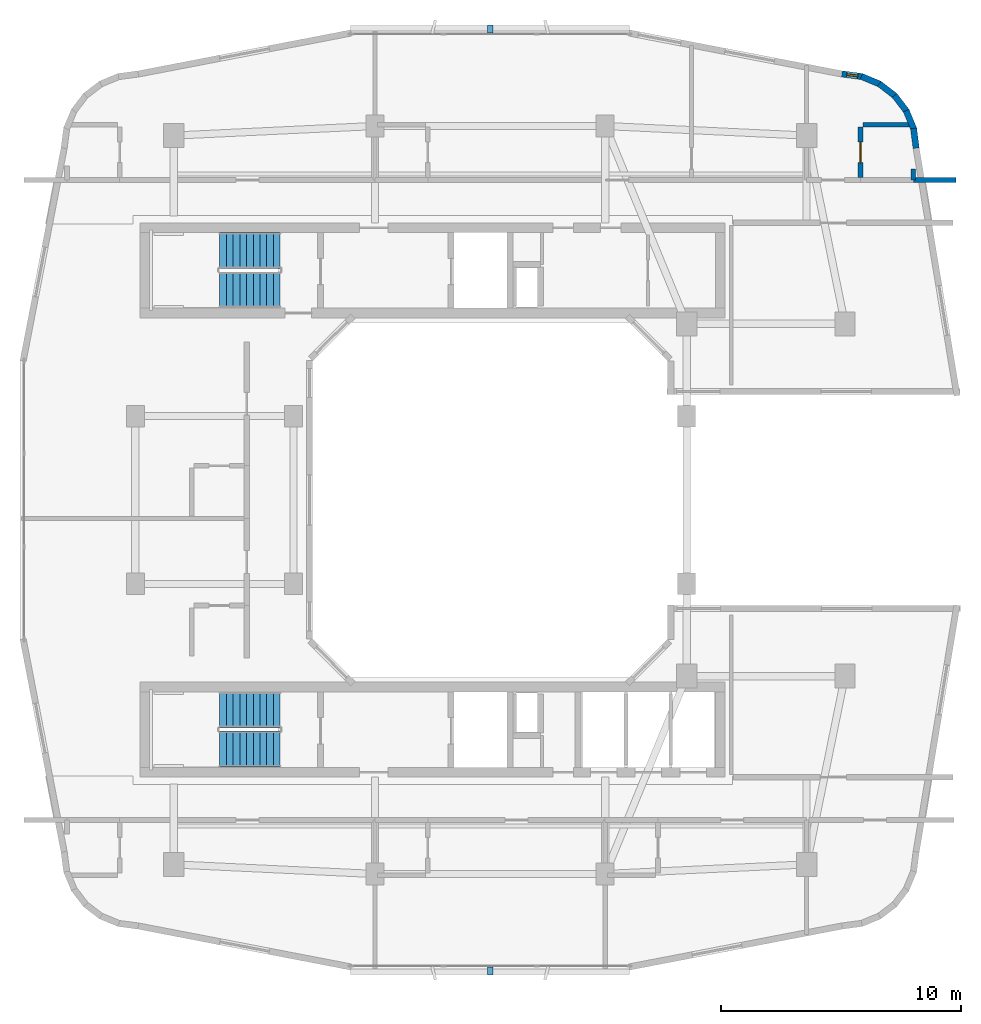
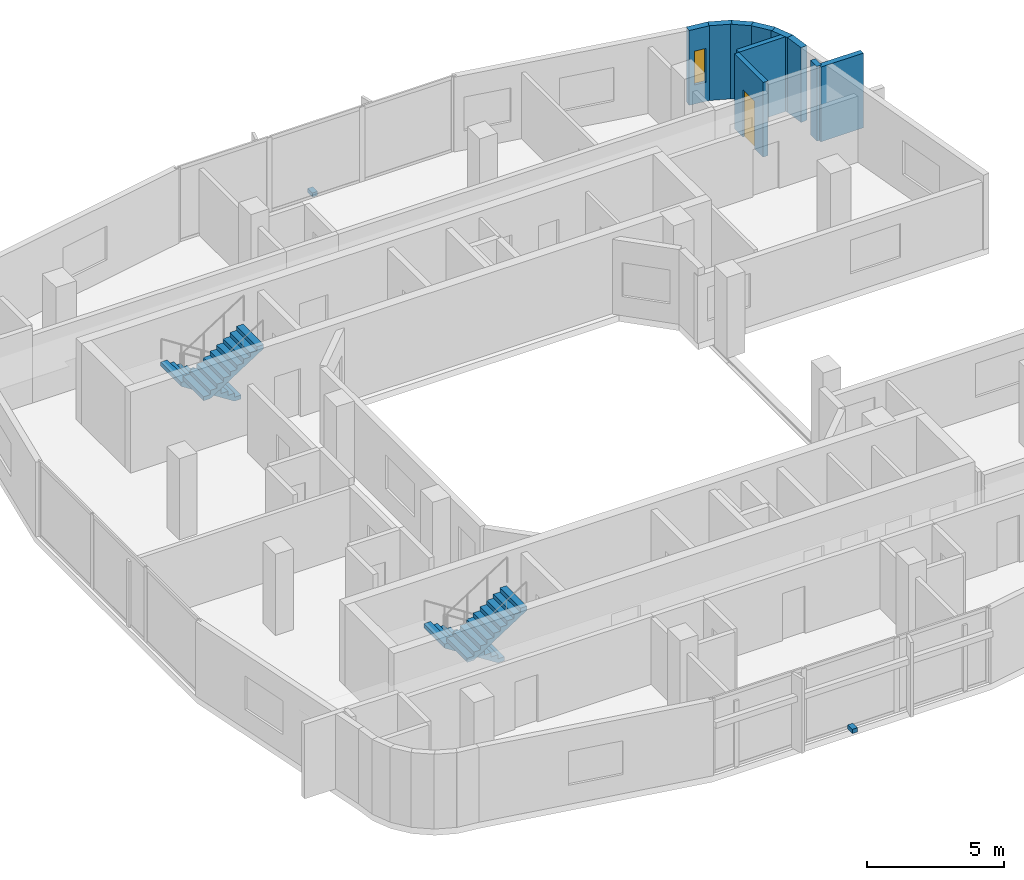
# One storey, part 8 of 12: 10 walls, 4 stair flights, 2 discrete accessories, 1 door, 1 window, 2 openings, 2 elements without a shape of their own.
"""IFC4 building model written with IfcOpenShell, lengths in metres."""

import ifcopenshell
import ifcopenshell.guid

model = None  # the IFC model being written
_history = None  # IfcOwnerHistory: only IFC2X3 demands one
_inside = {}  # id of a spatial element -> (the spatial element, [elements in it])
_under = {}  # id of a project, library or spatial element -> (it, [spatial elements below it])
_declared = {}  # id of a project -> (the project, [libraries it declares])
_typed = {}  # id of a type object -> (the type object, [elements of that type])
_made_of = {}  # id of a material, layer set ... -> (it, [elements and type objects made of it])


def new_model(schema):
    """Start an empty IFC model of exactly this schema.

    Asked for "IFC4X3", IfcOpenShell would pick the latest addendum, in which some entities
    have other attributes; the version numbers below select the first issue.
    IFC2X3 requires an IfcOwnerHistory on every rooted entity: one is made here for all.
    """
    global model, _history
    if schema == "IFC4X3":
        model = ifcopenshell.file(schema_version=(4, 3, 0, 0))
    else:
        model = ifcopenshell.file(schema=schema)
    _inside.clear()
    _under.clear()
    _declared.clear()
    _typed.clear()
    _made_of.clear()
    _history = None
    if model.schema == "IFC2X3":
        org = make("IfcOrganization", Name="unknown")
        user = make(
            "IfcPersonAndOrganization",
            ThePerson=make("IfcPerson", FamilyName="unknown"),
            TheOrganization=org,
        )
        app = make(
            "IfcApplication",
            ApplicationDeveloper=org,
            Version="unknown",
            ApplicationFullName="unknown",
            ApplicationIdentifier="unknown",
        )
        _history = make(
            "IfcOwnerHistory",
            OwningUser=user,
            OwningApplication=app,
            ChangeAction="ADDED",
            CreationDate=0,
        )
    return model


def make(cls, **values):
    """One entity of the class cls with the attributes given. An attribute that is None is left unset."""
    return model.create_entity(
        cls, **{name: value for name, value in values.items() if value is not None}
    )


def rooted(cls, **values):
    """An entity with a GlobalId (a new one), such as an element, a storey or a relation."""
    return make(cls, GlobalId=ifcopenshell.guid.new(), OwnerHistory=_history, **values)


def si_unit(unit_type, name, prefix=None):
    """IfcSIUnit, for example si_unit("LENGTHUNIT", "METRE", prefix="MILLI")."""
    return make("IfcSIUnit", UnitType=unit_type, Prefix=prefix, Name=name)


def derived_unit(unit_type, elements):
    """IfcDerivedUnit: a product of units, each with its exponent."""
    return make(
        "IfcDerivedUnit",
        Elements=[
            make("IfcDerivedUnitElement", Unit=unit, Exponent=power)
            for unit, power in elements
        ],
        UnitType=unit_type,
    )


def assignment(units):
    """IfcUnitAssignment: the units of a project."""
    return None if units is None else make("IfcUnitAssignment", Units=units)


def point(xyz):
    """IfcCartesianPoint."""
    return None if xyz is None else make("IfcCartesianPoint", Coordinates=xyz)


def direction(xyz):
    """IfcDirection."""
    return None if xyz is None else make("IfcDirection", DirectionRatios=xyz)


def frame(location, z_axis=None, x_axis=None):
    """IfcAxis2Placement3D, a coordinate frame: its origin and axes. An axis left out is left unset."""
    return make(
        "IfcAxis2Placement3D",
        Location=point(location),
        Axis=direction(z_axis),
        RefDirection=direction(x_axis),
    )


def frame_2d(location, x_axis=None):
    """IfcAxis2Placement2D, a coordinate frame in the plane: its origin and x axis."""
    return make(
        "IfcAxis2Placement2D", Location=point(location), RefDirection=direction(x_axis)
    )


def origin():
    """The frame at (0, 0, 0) with its axes left unset."""
    return frame((0.0, 0.0, 0.0))


def origin_2d():
    """The frame at (0, 0) in the plane with its x axis left unset."""
    return frame_2d((0.0, 0.0))


def place(relative_to, where):
    """IfcLocalPlacement: puts the frame where relative to a parent placement (None: the world)."""
    return make(
        "IfcLocalPlacement", PlacementRelTo=relative_to, RelativePlacement=where
    )


def context(
    kind, dimensions, precision=None, world=None, true_north=None, identifier=None
):
    """IfcGeometricRepresentationContext, for example the 3D "Model" context."""
    return make(
        "IfcGeometricRepresentationContext",
        ContextIdentifier=identifier,
        ContextType=kind,
        CoordinateSpaceDimension=dimensions,
        Precision=precision,
        WorldCoordinateSystem=world,
        TrueNorth=true_north,
    )


def subcontext(parent, identifier, kind, view, scale=None):
    """IfcGeometricRepresentationSubContext, for example "Body" below "Model"."""
    return make(
        "IfcGeometricRepresentationSubContext",
        ContextIdentifier=identifier,
        ContextType=kind,
        ParentContext=parent,
        TargetScale=scale,
        TargetView=view,
    )


def project(units=None, contexts=None):
    """IfcProject with its units and contexts."""
    return rooted(
        "IfcProject",
        Name="project",
        RepresentationContexts=contexts,
        UnitsInContext=assignment(units),
    )


def spatial(cls, under=None, at=None, **own):
    """A site, building, storey or space (cls), placed at a placement, below another one or the project."""
    s = rooted(cls, ObjectPlacement=at, **own)
    if under is not None:
        _under.setdefault(under.id(), (under, []))[1].append(s)
    return s


def polyline(points):
    """IfcPolyline through the points."""
    return make("IfcPolyline", Points=[point(p) for p in points])


def profile(cls, at=None, kind="AREA", **sizes):
    """A parametric profile (cls). Its sizes go by their IFC names, for example OverallWidth=200.0."""
    return make(cls, ProfileType=kind, Position=at, **sizes)


def rectangle(**sizes):
    """IfcRectangleProfileDef."""
    return profile("IfcRectangleProfileDef", **sizes)


def outline(outer, holes=None, kind="AREA"):
    """IfcArbitraryClosedProfileDef: a profile drawn as a closed curve; with holes, ...WithVoids."""
    if holes is None:
        return make("IfcArbitraryClosedProfileDef", ProfileType=kind, OuterCurve=outer)
    return make(
        "IfcArbitraryProfileDefWithVoids",
        ProfileType=kind,
        OuterCurve=outer,
        InnerCurves=holes,
    )


def extrude(swept, where, along, depth):
    """IfcExtrudedAreaSolid: the profile swept, set in the frame where, extruded along a direction by depth."""
    return make(
        "IfcExtrudedAreaSolid",
        SweptArea=swept,
        Position=where,
        ExtrudedDirection=direction(along),
        Depth=depth,
    )


def shape(context_of_items, identifier, shape_type, items):
    """IfcShapeRepresentation: the items that make up one representation, for example the "Body"."""
    return make(
        "IfcShapeRepresentation",
        ContextOfItems=context_of_items,
        RepresentationIdentifier=identifier,
        RepresentationType=shape_type,
        Items=items,
    )


def material(Name=None, Category=None):
    """IfcMaterial."""
    return make("IfcMaterial", Name=Name, Category=Category)


def layer(
    of_material, thickness, ventilated=None, Name=None, Category=None, Priority=None
):
    """IfcMaterialLayer: one layer of a wall or slab, of a material (None: an air gap)."""
    return make(
        "IfcMaterialLayer",
        Material=of_material,
        LayerThickness=thickness,
        IsVentilated=ventilated,
        Name=Name,
        Category=Category,
        Priority=Priority,
    )


def layer_set(layers, Name=None):
    """IfcMaterialLayerSet."""
    return make("IfcMaterialLayerSet", MaterialLayers=layers, LayerSetName=Name)


def made_of(thing, what):
    """Note that an element or type object is made of a material, layer set ...; save() writes the relation."""
    if what is not None:
        _made_of.setdefault(what.id(), (what, []))[1].append(thing)
    return thing


def type_object(cls, material=None, **own):
    """A type object (cls), such as IfcWallType, which elements share."""
    return made_of(rooted(cls, **own), material)


def element(
    cls,
    number,
    at=None,
    inside=None,
    cuts=None,
    type_object=None,
    material=None,
    context=None,
    identifier="Body",
    shape_type=None,
    held_by="IfcProductDefinitionShape",
    body=None,
    shapes=None,
    **own,
):
    """One element of the class cls, such as IfcWall. Its Tag is "e" and its number.

    at: its placement. inside: the storey or other place that contains it. cuts: it is an
    opening in that element (IfcRelVoidsElement). A single representation is given by context,
    identifier, shape_type and body (its items); several are given by shapes. held_by: the class
    of the entity that holds the representations. save() writes the other relations.
    """
    e = rooted(cls, Tag="e%d" % number, ObjectPlacement=at, **own)
    if body is not None:
        shapes = [shape(context, identifier, shape_type, body)]
    if shapes is not None:
        e.Representation = make(held_by, Representations=shapes)
    if inside is not None:
        _inside.setdefault(inside.id(), (inside, []))[1].append(e)
    if cuts is not None:
        rooted(
            "IfcRelVoidsElement", RelatingBuildingElement=cuts, RelatedOpeningElement=e
        )
    if type_object is not None:
        _typed.setdefault(type_object.id(), (type_object, []))[1].append(e)
    return made_of(e, material)


def fill(opening, filler):
    """IfcRelFillsElement: the door or window that sits in an opening."""
    return rooted(
        "IfcRelFillsElement",
        RelatingOpeningElement=opening,
        RelatedBuildingElement=filler,
    )


def aggregate(whole, parts):
    """IfcRelAggregates: a whole, such as a stair, and the parts it consists of."""
    return rooted("IfcRelAggregates", RelatingObject=whole, RelatedObjects=parts)


def save(model, path):
    """Write the relations noted so far, then the file.

    IfcRelAggregates (storeys below a building ...), IfcRelContainedInSpatialStructure (elements
    in a storey), IfcRelDefinesByType, IfcRelAssociatesMaterial and IfcRelDeclares: one each for
    every whole, place, type object, material and project.
    """
    for whole, parts in _under.values():
        aggregate(whole, parts)
    for where, things in _inside.values():
        rooted(
            "IfcRelContainedInSpatialStructure",
            RelatedElements=things,
            RelatingStructure=where,
        )
    for kind, things in _typed.values():
        rooted("IfcRelDefinesByType", RelatedObjects=things, RelatingType=kind)
    for what, things in _made_of.values():
        rooted("IfcRelAssociatesMaterial", RelatedObjects=things, RelatingMaterial=what)
    for by, libraries in _declared.values():
        rooted("IfcRelDeclares", RelatingContext=by, RelatedDefinitions=libraries)
    model.write(path)


model = new_model("IFC4")

# Units and contexts
model_context = context("Model", 3, precision=1e-05, world=origin(), true_north=direction((0.0, 1.0)))
body_context = subcontext(model_context, "Body", "Model", "MODEL_VIEW")
ifc_project = project(units=[si_unit("LENGTHUNIT", "METRE"), si_unit("AREAUNIT", "SQUARE_METRE"), si_unit("VOLUMEUNIT", "CUBIC_METRE"), si_unit("PLANEANGLEUNIT", "RADIAN"), si_unit("MASSUNIT", "GRAM", prefix="KILO"), derived_unit("THERMALTRANSMITTANCEUNIT", [(si_unit("POWERUNIT", "WATT"), 1), (si_unit("LENGTHUNIT", "METRE"), -2), (si_unit("THERMODYNAMICTEMPERATUREUNIT", "KELVIN"), -1)])], contexts=[model_context])

# Site, building, storey
site_placement = place(None, origin())
site = spatial("IfcSite", under=ifc_project, at=site_placement, CompositionType="ELEMENT")
building_placement = place(site_placement, origin())
building = spatial("IfcBuilding", under=site, at=building_placement, Name="Kivonza Crest Hotel", CompositionType="ELEMENT")
storey_placement = place(building_placement, frame((0.0, 0.0, 188.300048828125)))
storey = spatial("IfcBuildingStorey", under=building, at=storey_placement, Name="L51", CompositionType="ELEMENT", Elevation=188.300048828125)

# Walls
ifc_material_1 = material(Name="Autoclaved aerated concrete blockwork", Category="masonry")
ifc_layer_1 = layer(ifc_material_1, 0.219970703125)
ifc_layer_set_1 = layer_set([ifc_layer_1], Name="Autoclaved aerated concrete blockwork")
wall_type_1 = type_object("IfcWallType", Name="WL-ACOU-220", PredefinedType="SOLIDWALL", material=ifc_layer_set_1)
wall_1_placement = place(storey_placement, frame((38.64990234375, 38.35009765625, 0.0), z_axis=(0.0, 0.0, 1.0), x_axis=(1.0, 0.0, 0.0)))
element("IfcWall", 1, at=wall_1_placement, inside=storey, type_object=wall_type_1, Name="L51 interior partition WA-L51-N03-XCORR", PredefinedType="SOLIDWALL", context=body_context, shape_type="SweptSolid", body=[
    extrude(rectangle(XDim=1.7900390625, YDim=0.219970703125, at=frame_2d((0.89501953125, 0.0))), origin(), (0.0, 0.0, 1.0), 3.320068359375),
])
ifc_material_2 = material(Name="Precast concrete C40/50", Category="concrete")
ifc_layer_2 = layer(ifc_material_2, 0.260009765625)
ifc_layer_set_2 = layer_set([ifc_layer_2], Name="Precast concrete C40/50")
wall_type_2 = type_object("IfcWallType", Name="WL-EXT-260", PredefinedType="STANDARD", material=ifc_layer_set_2)
wall_2_placement = place(storey_placement, frame((38.77197265625, 39.675048828125, 0.0), z_axis=(0.0, 0.0, 1.0), x_axis=(-0.130704676564, 0.99142134712, 0.0)))
element("IfcWall", 2, at=wall_2_placement, inside=storey, type_object=wall_type_2, Name="L51 T1 exterior insulated wall 29", PredefinedType="STANDARD", context=body_context, shape_type="SweptSolid", body=[
    extrude(rectangle(XDim=0.8330078125, YDim=0.260009765625, at=frame_2d((0.41650390625, 0.0))), origin(), (0.0, 0.0, 1.0), 3.320068359375),
])
wall_3_placement = place(storey_placement, frame((38.680908203125, 40.455078125, 0.0), z_axis=(0.0, 0.0, 1.0), x_axis=(-0.383086687796, 0.923712395518, 0.0)))
element("IfcWall", 3, at=wall_3_placement, inside=storey, type_object=wall_type_2, Name="L51 T1 exterior insulated wall 30", PredefinedType="STANDARD", context=body_context, shape_type="SweptSolid", body=[
    extrude(rectangle(XDim=0.850830078125, YDim=0.260009765625, at=frame_2d((0.42529296875, 0.0))), origin(), (0.0, 0.0, 1.0), 3.320068359375),
])
for number, where, z_axis, x_axis, name in (
    (4, (38.383056640625, 41.200927734375, 0.0), (0.0, 0.0, 1.0), (-0.608099977432, 0.793860452124, 0.0), "L51 T1 exterior insulated wall 31"),
    (5, (37.904052734375, 41.844970703125, 0.0), (0.0, 0.0, 1.0), (-0.793860452124, 0.608099977432, 0.0), "L51 T1 exterior insulated wall 32"),
):
    element("IfcWall", number, at=place(storey_placement, frame(where, z_axis=z_axis, x_axis=x_axis)), inside=storey, type_object=wall_type_2, Name=name, PredefinedType="STANDARD", context=body_context, shape_type="SweptSolid", body=[
        extrude(rectangle(XDim=0.850341796875, YDim=0.260009765625, at=frame_2d((0.42529296875, 0.0))), origin(), (0.0, 0.0, 1.0), 3.320068359375),
    ])
wall_4_placement = place(storey_placement, frame((37.27294921875, 42.341064453125, 0.0), z_axis=(0.0, 0.0, 1.0), x_axis=(-0.923712395518, 0.383086687796, 0.0)))
element("IfcWall", 6, at=wall_4_placement, inside=storey, type_object=wall_type_2, Name="L51 T1 exterior insulated wall 33", PredefinedType="STANDARD", context=body_context, shape_type="SweptSolid", body=[
    extrude(rectangle(XDim=0.850830078125, YDim=0.260009765625, at=frame_2d((0.42529296875, 0.0))), origin(), (0.0, 0.0, 1.0), 3.320068359375),
])

# Wall, opening, window
wall_5_placement = place(storey_placement, frame((36.535888671875, 42.658935546875, 0.0), z_axis=(0.0, 0.0, 1.0), x_axis=(-0.991488716273, 0.130192647656, 0.0)))
wall_5 = element("IfcWall", 7, at=wall_5_placement, inside=storey, type_object=wall_type_2, Name="L51 T1 exterior insulated wall 34", PredefinedType="STANDARD", context=body_context, shape_type="SweptSolid", body=[
    extrude(rectangle(XDim=0.8681640625, YDim=0.260009765625, at=frame_2d((0.43408203125, 0.0))), origin(), (0.0, 0.0, 1.0), 3.320068359375),
])
opening_1_placement = place(wall_5_placement, frame((0.208984375, 0.0, 0.85009765625)))
opening_1 = element("IfcOpeningElement", 8, at=opening_1_placement, cuts=wall_5, Name="Opening WN-11", PredefinedType="OPENING", context=body_context, shape_type="SweptSolid", body=[
    extrude(rectangle(XDim=0.449951171875, YDim=1.5, at=frame_2d((0.22509765625, 0.75))), frame((0.0, 0.14013671875, 0.0), z_axis=(0.0, -1.0, 0.0), x_axis=(1.0, 0.0, 0.0)), (0.0, 0.0, 1.0), 0.280029296875),
])
ifc_material_3 = material(Name="Thermally broken bronze aluminium and low-E double glazing", Category="aluminium")
window_type = type_object("IfcWindowType", Name="WN-045x150", PartitioningType="SINGLE_PANEL", PredefinedType="WINDOW", material=ifc_material_3)
window_placement = place(opening_1_placement, origin())
window = element("IfcWindow", 9, at=window_placement, inside=storey, type_object=window_type, Name="L51 corner vision window 1", OverallHeight=1.5, OverallWidth=0.449951171875, PartitioningType="SINGLE_PANEL", PredefinedType="WINDOW", context=body_context, shape_type="SweptSolid", body=[
    extrude(rectangle(XDim=0.449951171875, YDim=1.5, at=frame_2d((0.22509765625, 0.75))), frame((0.0, 0.030029296875, 0.0), z_axis=(0.0, -1.0, 0.0), x_axis=(1.0, 0.0, 0.0)), (0.0, 0.0, 1.0), 0.06005859375),
])
fill(opening_1, window)

# Wall, opening, door
ifc_material_4 = material(Name="Moisture-resistant plumbing chase partition wall", Category="gypsum")
ifc_layer_3 = layer(ifc_material_4, 0.199951171875)
ifc_layer_set_3 = layer_set([ifc_layer_3], Name="Moisture-resistant plumbing chase partition wall")
wall_type_3 = type_object("IfcWallType", Name="WL-PLUMB-200", PredefinedType="PLUMBINGWALL", material=ifc_layer_set_3)
wall_6_placement = place(storey_placement, frame((36.449951171875, 38.449951171875, 0.0), z_axis=(0.0, 0.0, 1.0), x_axis=(0.0, 1.0, 0.0)))
wall_6 = element("IfcWall", 10, at=wall_6_placement, inside=storey, type_object=wall_type_3, Name="L51 interior partition WW-L51-N03-BV", PredefinedType="PLUMBINGWALL", context=body_context, shape_type="SweptSolid", body=[
    extrude(rectangle(XDim=2.10009765625, YDim=0.199951171875, at=frame_2d((1.050048828125, 0.0))), origin(), (0.0, 0.0, 1.0), 3.320068359375),
])
opening_2_placement = place(wall_6_placement, frame((0.625, 0.0, 0.0)))
opening_2 = element("IfcOpeningElement", 11, at=opening_2_placement, cuts=wall_6, Name="Opening DI-85", PredefinedType="OPENING", context=body_context, shape_type="SweptSolid", body=[
    extrude(rectangle(XDim=0.85009765625, YDim=2.10009765625, at=frame_2d((0.425048828125, 1.050048828125))), frame((0.0, 0.10986328125, 0.0), z_axis=(0.0, -1.0, 0.0), x_axis=(1.0, 0.0, 0.0)), (0.0, 0.0, 1.0), 0.219970703125),
])
ifc_material_5 = material(Name="Hardwood timber oak", Category="wood")
door_type = type_object("IfcDoorType", Name="DR-INT-850", OperationType="NOTDEFINED", PredefinedType="DOOR", material=ifc_material_5)
door_placement = place(opening_2_placement, origin())
door = element("IfcDoor", 12, at=door_placement, inside=storey, type_object=door_type, Name="L51 N03 en-suite bathroom door", OperationType="SINGLE_SWING_RIGHT", OverallHeight=2.10009765625, OverallWidth=0.85009765625, PredefinedType="DOOR", context=body_context, shape_type="SweptSolid", body=[
    extrude(rectangle(XDim=0.85009765625, YDim=2.10009765625, at=frame_2d((0.425048828125, 1.050048828125))), frame((0.0, 0.02490234375, 0.0), z_axis=(0.0, -1.0, 0.0), x_axis=(1.0, 0.0, 0.0)), (0.0, 0.0, 1.0), 0.050048828125),
])
fill(opening_2, door)

# Walls
wall_7_placement = place(storey_placement, frame((36.550048828125, 40.64990234375, 0.0), z_axis=(0.0, 0.0, 1.0), x_axis=(1.0, 0.0, 0.0)))
element("IfcWall", 13, at=wall_7_placement, inside=storey, type_object=wall_type_3, Name="L51 interior partition WW-L51-N03-BH", PredefinedType="PLUMBINGWALL", context=body_context, shape_type="SweptSolid", body=[
    extrude(rectangle(XDim=2.0, YDim=0.199951171875, at=frame_2d((1.0, 0.0))), origin(), (0.0, 0.0, 1.0), 3.320068359375),
])
wall_8_placement = place(storey_placement, frame((38.64990234375, 38.35009765625, 0.0), z_axis=(0.0, 0.0, 1.0), x_axis=(0.0, 1.0, 0.0)))
element("IfcWall", 14, at=wall_8_placement, inside=storey, type_object=wall_type_3, Name="L51 interior partition WW-L51-N03-BVE", PredefinedType="PLUMBINGWALL", context=body_context, shape_type="SweptSolid", body=[
    extrude(rectangle(XDim=0.458984375, YDim=0.199951171875, at=frame_2d((0.2294921875, 0.0))), origin(), (0.0, 0.0, 1.0), 3.320068359375),
])

# Stair, stair flights
ifc_material_6 = material(Name="Concrete C40/50", Category="concrete")
stair_type = type_object("IfcStairType", Name="ST-DL-20R", PredefinedType="HALF_TURN_STAIR", material=ifc_material_6)
stair_1_placement = place(storey_placement, origin())
stair_1 = element("IfcStair", 15, at=stair_1_placement, inside=storey, type_object=stair_type, Name="L51 Protected Exit Stair ST-T1-N", PredefinedType="HALF_TURN_STAIR")
stair_flight_type = type_object("IfcStairFlightType", Name="SFL-RC-10R", PredefinedType="STRAIGHT", material=ifc_material_6)
stair_flight_1_placement = place(storey_placement, frame((12.239990234375, 35.409912109375, 0.0), z_axis=(0.0, 0.0, 1.0), x_axis=(-1.0, 0.0, 0.0)))
stair_flight_1 = element("IfcStairFlight", 16, at=stair_flight_1_placement, type_object=stair_flight_type, Name="ST-T1-N flight 1", NumberOfRisers=10, NumberOfTreads=9, PredefinedType="STRAIGHT", RiserHeight=0.18, TreadLength=0.28, context=body_context, shape_type="SweptSolid", body=[
    extrude(outline(polyline([(0.0, 0.0), (0.0, 0.179931640625), (0.280029296875, 0.179931640625), (0.280029296875, 0.360107421875), (0.56005859375, 0.360107421875), (0.56005859375, 0.5400390625), (0.840087890625, 0.5400390625), (0.840087890625, 0.719970703125), (1.1201171875, 0.719970703125), (1.1201171875, 0.89990234375), (1.39990234375, 0.89990234375), (1.39990234375, 1.080078125), (1.679931640625, 1.080078125), (1.679931640625, 1.260009765625), (1.9599609375, 1.260009765625), (1.9599609375, 1.43994140625), (2.239990234375, 1.43994140625), (2.239990234375, 1.6201171875), (2.52001953125, 1.6201171875), (2.52001953125, 1.800048828125), (2.52001953125, 1.44189453125), (0.277099609375, 0.0), (0.0, 0.0)])), frame((0.0, 0.75, 0.0), z_axis=(0.0, -1.0, 0.0), x_axis=(1.0, 0.0, 0.0)), (0.0, 0.0, 1.0), 1.5),
])
stair_flight_2_placement = place(storey_placement, frame((9.719970703125, 33.77001953125, 1.800048828125), z_axis=(0.0, 0.0, 1.0), x_axis=(1.0, 0.0, 0.0)))
stair_flight_2 = element("IfcStairFlight", 17, at=stair_flight_2_placement, type_object=stair_flight_type, Name="ST-T1-N flight 2", NumberOfRisers=10, NumberOfTreads=9, PredefinedType="STRAIGHT", RiserHeight=0.18, TreadLength=0.28, context=body_context, shape_type="SweptSolid", body=[
    extrude(outline(polyline([(0.0, 0.0), (0.0, 0.179931640625), (0.280029296875, 0.179931640625), (0.280029296875, 0.360107421875), (0.56005859375, 0.360107421875), (0.56005859375, 0.5400390625), (0.840087890625, 0.5400390625), (0.840087890625, 0.719970703125), (1.1201171875, 0.719970703125), (1.1201171875, 0.89990234375), (1.39990234375, 0.89990234375), (1.39990234375, 1.080078125), (1.679931640625, 1.080078125), (1.679931640625, 1.260009765625), (1.9599609375, 1.260009765625), (1.9599609375, 1.43994140625), (2.239990234375, 1.43994140625), (2.239990234375, 1.6201171875), (2.52001953125, 1.6201171875), (2.52001953125, 1.800048828125), (2.52001953125, 1.44189453125), (0.277099609375, 0.0), (0.0, 0.0)])), frame((0.0, 0.75, 0.0), z_axis=(0.0, -1.0, 0.0), x_axis=(1.0, 0.0, 0.0)), (0.0, 0.0, 1.0), 1.5),
])
aggregate(stair_1, [stair_flight_1, stair_flight_2])

stair_2_placement = place(storey_placement, origin())
stair_2 = element("IfcStair", 18, at=stair_2_placement, inside=storey, type_object=stair_type, Name="L51 Protected Exit Stair ST-T1-S", PredefinedType="HALF_TURN_STAIR")
stair_flight_3_placement = place(storey_placement, frame((12.239990234375, 16.25, 0.0), z_axis=(0.0, 0.0, 1.0), x_axis=(-1.0, 0.0, 0.0)))
stair_flight_3 = element("IfcStairFlight", 19, at=stair_flight_3_placement, type_object=stair_flight_type, Name="ST-T1-S flight 1", NumberOfRisers=10, NumberOfTreads=9, PredefinedType="STRAIGHT", RiserHeight=0.18, TreadLength=0.28, context=body_context, shape_type="SweptSolid", body=[
    extrude(outline(polyline([(0.0, 0.0), (0.0, 0.179931640625), (0.280029296875, 0.179931640625), (0.280029296875, 0.360107421875), (0.56005859375, 0.360107421875), (0.56005859375, 0.5400390625), (0.840087890625, 0.5400390625), (0.840087890625, 0.719970703125), (1.1201171875, 0.719970703125), (1.1201171875, 0.89990234375), (1.39990234375, 0.89990234375), (1.39990234375, 1.080078125), (1.679931640625, 1.080078125), (1.679931640625, 1.260009765625), (1.9599609375, 1.260009765625), (1.9599609375, 1.43994140625), (2.239990234375, 1.43994140625), (2.239990234375, 1.6201171875), (2.52001953125, 1.6201171875), (2.52001953125, 1.800048828125), (2.52001953125, 1.44189453125), (0.277099609375, 0.0), (0.0, 0.0)])), frame((0.0, 0.75, 0.0), z_axis=(0.0, -1.0, 0.0), x_axis=(1.0, 0.0, 0.0)), (0.0, 0.0, 1.0), 1.5),
])
stair_flight_4_placement = place(storey_placement, frame((9.719970703125, 14.610107421875, 1.800048828125), z_axis=(0.0, 0.0, 1.0), x_axis=(1.0, 0.0, 0.0)))
stair_flight_4 = element("IfcStairFlight", 20, at=stair_flight_4_placement, type_object=stair_flight_type, Name="ST-T1-S flight 2", NumberOfRisers=10, NumberOfTreads=9, PredefinedType="STRAIGHT", RiserHeight=0.18, TreadLength=0.28, context=body_context, shape_type="SweptSolid", body=[
    extrude(outline(polyline([(0.0, 0.0), (0.0, 0.179931640625), (0.280029296875, 0.179931640625), (0.280029296875, 0.360107421875), (0.56005859375, 0.360107421875), (0.56005859375, 0.5400390625), (0.840087890625, 0.5400390625), (0.840087890625, 0.719970703125), (1.1201171875, 0.719970703125), (1.1201171875, 0.89990234375), (1.39990234375, 0.89990234375), (1.39990234375, 1.080078125), (1.679931640625, 1.080078125), (1.679931640625, 1.260009765625), (1.9599609375, 1.260009765625), (1.9599609375, 1.43994140625), (2.239990234375, 1.43994140625), (2.239990234375, 1.6201171875), (2.52001953125, 1.6201171875), (2.52001953125, 1.800048828125), (2.52001953125, 1.44189453125), (0.277099609375, 0.0), (0.0, 0.0)])), frame((0.0, 0.75, 0.0), z_axis=(0.0, -1.0, 0.0), x_axis=(1.0, 0.0, 0.0)), (0.0, 0.0, 1.0), 1.5),
])
aggregate(stair_2, [stair_flight_3, stair_flight_4])

# Discrete accessories
ifc_material_7 = material(Name="Stainless steel 316", Category="steel")
discrete_accessory_type = type_object("IfcDiscreteAccessoryType", Name="AC-BRACKET-240", PredefinedType="BRACKET", material=ifc_material_7)
for number, where, z_axis, x_axis, name in (
    (21, (21.0, 5.360107421875, -0.01025390625), (0.0, 0.0, 1.0), (1.0, 0.0, 0.0), "L51 terracotta baguette support bracket CW-T1-L51-08"),
    (22, (21.0, 44.639892578125, -0.01025390625), (0.0, 0.0, 1.0), (-1.0, 0.0, 0.0), "L51 terracotta baguette support bracket CW-T1-L51-36"),
):
    element("IfcDiscreteAccessory", number, at=place(storey_placement, frame(where, z_axis=z_axis, x_axis=x_axis)), inside=storey, type_object=discrete_accessory_type, Name=name, PredefinedType="BRACKET", context=body_context, shape_type="SweptSolid", body=[
        extrude(rectangle(XDim=0.219970703125, YDim=0.340087890625, at=origin_2d()), origin(), (0.0, 0.0, 1.0), 0.179931640625),
    ])

save(model, "model.ifc")
